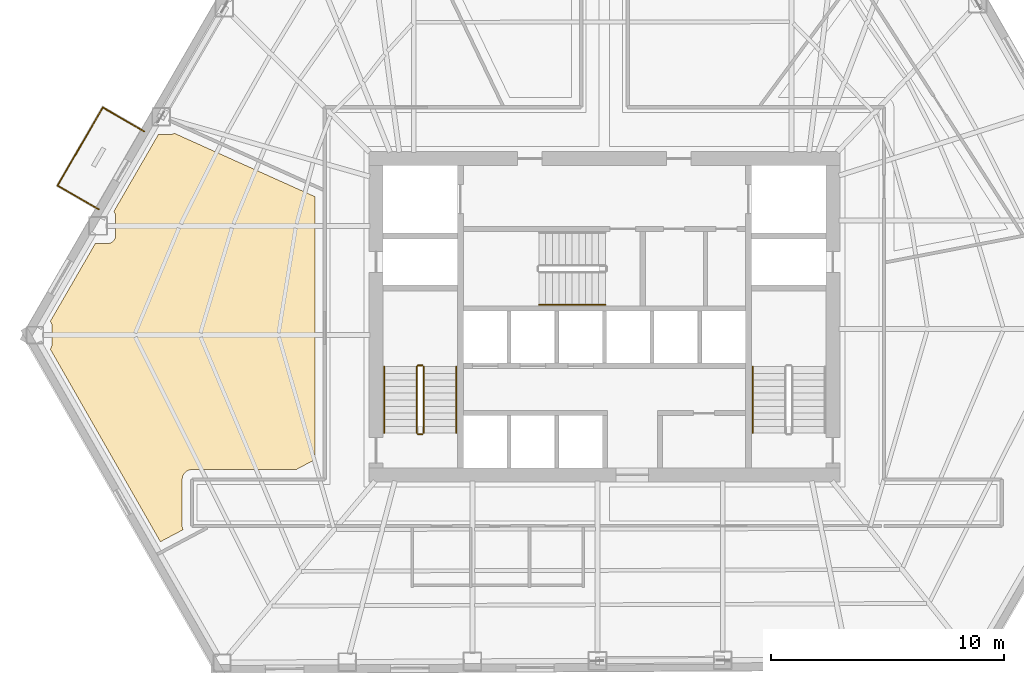
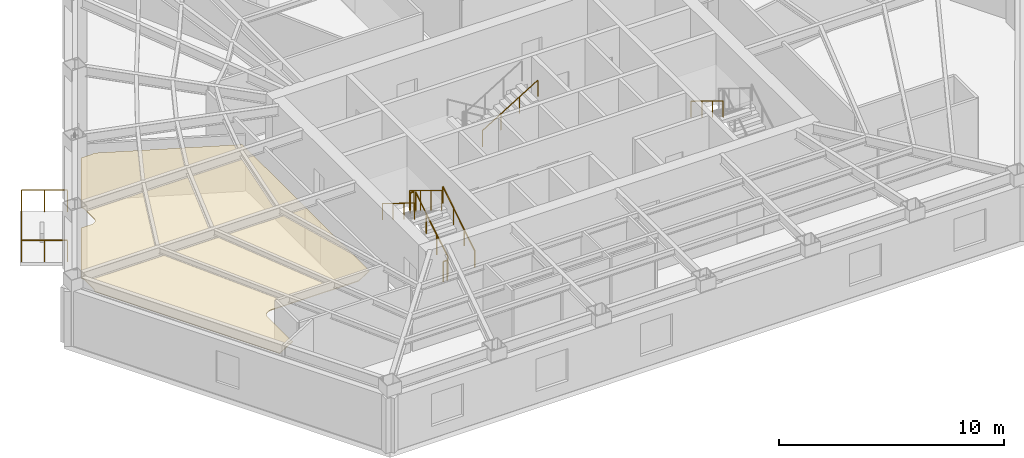
# One storey, part 9 of 11: 11 railings, 1 covering.
"""IFC4 building model written with IfcOpenShell, lengths in metres."""

from ifc_helpers import new_model, si_unit, direction, frame, origin, origin_2d, place, context, subcontext, project, spatial, polyline, circle, outline, extrude, material, layer, layer_set, type_object, element, save


model = new_model("IFC4")

# Units and contexts
model_context = context("Model", 3, precision=1e-05, world=origin(), true_north=direction((0.0, 1.0)))
body_context = subcontext(model_context, "Body", "Model", "MODEL_VIEW")
ifc_project = project(units=[si_unit("LENGTHUNIT", "METRE"), si_unit("AREAUNIT", "SQUARE_METRE"), si_unit("VOLUMEUNIT", "CUBIC_METRE"), si_unit("PLANEANGLEUNIT", "RADIAN"), si_unit("MASSUNIT", "GRAM", prefix="KILO")], contexts=[model_context])

# Site, building, storey
site_placement = place(None, origin())
site = spatial("IfcSite", under=ifc_project, at=site_placement, CompositionType="ELEMENT")
building_placement = place(site_placement, origin())
building = spatial("IfcBuilding", under=site, at=building_placement, Name="Kavelnor Concourse Tower", CompositionType="ELEMENT")
storey_placement = place(building_placement, frame((0.0, 0.0, 9.85009765625)))
storey = spatial("IfcBuildingStorey", under=building, at=storey_placement, Name="L02", CompositionType="ELEMENT", Elevation=9.85009765625)

# Covering
ifc_material_1 = material(Name="Mineral fibre acoustic ceiling tile")
ifc_layer = layer(ifc_material_1, 0.0400390625, Name="Mineral fibre acoustic ceiling tile")
ifc_layer_set = layer_set([ifc_layer], Name="Mineral fibre acoustic ceiling tile")
covering_type = type_object("IfcCoveringType", Name="COV-CEILING-ACOUSTIC", PredefinedType="CEILING", material=ifc_layer_set)
covering_placement = place(storey_placement, frame((0.0, 0.0, 2.75)))
element("IfcCovering", 1, at=covering_placement, inside=storey, type_object=covering_type, Name="L02 Suspended Acoustic Ceiling", PredefinedType="CEILING", context=body_context, shape_type="SweptSolid", body=[
    extrude(outline(polyline([(14.1953125, 14.723388671875), (14.21337890625, 14.75390625), (14.228515625, 14.785888671875), (14.240478515625, 14.819091796875), (14.2490234375, 14.853515625), (14.25439453125, 14.888427734375), (14.255615234375, 14.915283203125), (14.255615234375, 15.69189453125), (14.25439453125, 15.718994140625), (14.2490234375, 15.75390625), (14.240478515625, 15.788330078125), (14.228515625, 15.821533203125), (14.21337890625, 15.853515625), (14.1953125, 15.8837890625), (14.18359375, 15.899658203125), (16.114013671875, 19.23779296875), (16.638427734375, 19.23779296875), (16.66552734375, 19.239013671875), (16.700439453125, 19.244384765625), (16.73486328125, 19.2529296875), (16.76806640625, 19.264892578125), (16.800048828125, 19.27978515625), (16.830322265625, 19.298095703125), (16.85888671875, 19.319091796875), (16.885009765625, 19.343017578125), (16.90869140625, 19.369140625), (16.929931640625, 19.397705078125), (16.947998046875, 19.427978515625), (16.963134765625, 19.4599609375), (16.97509765625, 19.4931640625), (16.983642578125, 19.527587890625), (16.989013671875, 19.5625), (16.990234375, 19.589599609375), (16.990234375, 20.406005859375), (16.989013671875, 20.43310546875), (16.983642578125, 20.468017578125), (16.97509765625, 20.50244140625), (16.963134765625, 20.53564453125), (16.947998046875, 20.567626953125), (16.929931640625, 20.597900390625), (16.91357421875, 20.6201171875), (18.828857421875, 23.931884765625), (19.353271484375, 23.931884765625), (19.380126953125, 23.933349609375), (19.415283203125, 23.9384765625), (19.449462890625, 23.947021484375), (19.48291015625, 23.958984375), (19.514892578125, 23.97412109375), (19.520263671875, 23.977294921875), (25.5576171875, 21.255126953125), (25.5576171875, 9.9541015625), (24.74560546875, 9.5224609375), (20.266357421875, 9.5224609375), (20.233154296875, 9.52099609375), (20.192138671875, 9.514892578125), (20.15185546875, 9.504638671875), (20.11279296875, 9.49072265625), (20.0751953125, 9.472900390625), (20.03955078125, 9.45166015625), (20.00634765625, 9.427001953125), (19.9755859375, 9.39892578125), (19.94775390625, 9.368408203125), (19.923095703125, 9.3349609375), (19.901611328125, 9.29931640625), (19.8837890625, 9.26171875), (19.869873046875, 9.222900390625), (19.85986328125, 9.1826171875), (19.853759765625, 9.1416015625), (19.85205078125, 9.1083984375), (19.85205078125, 7.091796875), (19.853759765625, 7.05859375), (19.85986328125, 7.017578125), (19.869873046875, 6.977294921875), (19.8837890625, 6.938232421875), (19.884033203125, 6.9375), (18.9140625, 6.421875), (14.180908203125, 14.7041015625), (14.1953125, 14.723388671875)])), origin(), (0.0, 0.0, 1.0), 0.039794921875),
])

# Railings
ifc_material_2 = material(Name="Steel Grade 350", Category="steel")
railing_type_1 = type_object("IfcRailingType", Name="RLG-GUARD-1100", PredefinedType="GUARDRAIL", material=ifc_material_2)
railing_1_placement = place(storey_placement, frame((30.22998046875, 11.10009765625, 0.1748046875)))
element("IfcRailing", 2, at=railing_1_placement, inside=storey, type_object=railing_type_1, Name="L02 ST1 stair guard 1", PredefinedType="GUARDRAIL", context=body_context, shape_type="SweptSolid", body=[
    extrude(circle(Radius=0.02392578125, at=origin_2d()), frame((0.0, 0.0, 1.076171875), z_axis=(0.0, 0.852159232446, 0.523282564737), x_axis=(-1.0, 0.0, 0.0)), (0.0, 0.0, 1.0), 3.34423828125),
    extrude(circle(Radius=0.02099609375, at=origin_2d()), origin(), (0.0, 0.0, 1.0), 1.052001953125),
    extrude(circle(Radius=0.02099609375, at=origin_2d()), frame((0.0, 0.949951171875, 0.583251953125)), (0.0, 0.0, 1.0), 1.052001953125),
    extrude(circle(Radius=0.02099609375, at=origin_2d()), frame((0.0, 1.89990234375, 1.166748046875)), (0.0, 0.0, 1.0), 1.052001953125),
    extrude(circle(Radius=0.02099609375, at=origin_2d()), frame((0.0, 2.849853515625, 1.75)), (0.0, 0.0, 1.0), 1.052001953125),
])
railing_2_placement = place(storey_placement, frame((30.179931640625, 14.0, 1.9248046875)))
element("IfcRailing", 3, at=railing_2_placement, inside=storey, type_object=railing_type_1, Name="L02 ST1 stair guard 2", PredefinedType="GUARDRAIL", context=body_context, shape_type="SweptSolid", body=[
    extrude(circle(Radius=0.02392578125, at=origin_2d()), frame((0.0, 0.0, 1.076171875), z_axis=(-1.0, 0.0, 0.0), x_axis=(0.0, -1.0, 0.0)), (0.0, 0.0, 1.0), 0.199951171875),
    extrude(circle(Radius=0.02099609375, at=origin_2d()), origin(), (0.0, 0.0, 1.0), 1.052001953125),
    extrude(circle(Radius=0.02099609375, at=origin_2d()), frame((-0.199951171875, 0.0, 0.0)), (0.0, 0.0, 1.0), 1.052001953125),
])
railing_3_placement = place(storey_placement, frame((29.929931640625, 13.949951171875, 2.099853515625)))
element("IfcRailing", 4, at=railing_3_placement, inside=storey, type_object=railing_type_1, Name="L02 ST1 stair guard 3", PredefinedType="GUARDRAIL", context=body_context, shape_type="SweptSolid", body=[
    extrude(circle(Radius=0.02392578125, at=origin_2d()), frame((0.0, 0.0, 1.076171875), z_axis=(0.0, -0.852159232446, 0.523282564737), x_axis=(1.0, 0.0, 0.0)), (0.0, 0.0, 1.0), 3.34423828125),
    extrude(circle(Radius=0.02099609375, at=origin_2d()), origin(), (0.0, 0.0, 1.0), 1.052001953125),
    extrude(circle(Radius=0.02099609375, at=origin_2d()), frame((0.0, -0.949951171875, 0.583251953125)), (0.0, 0.0, 1.0), 1.052001953125),
    extrude(circle(Radius=0.02099609375, at=origin_2d()), frame((0.0, -1.89990234375, 1.166748046875)), (0.0, 0.0, 1.0), 1.052001953125),
    extrude(circle(Radius=0.02099609375, at=origin_2d()), frame((0.0, -2.849853515625, 1.75)), (0.0, 0.0, 1.0), 1.052001953125),
])
railing_4_placement = place(storey_placement, frame((30.179931640625, 11.050048828125, 0.0)))
element("IfcRailing", 5, at=railing_4_placement, inside=storey, type_object=railing_type_1, Name="L02 ST1 stair guard 4", PredefinedType="GUARDRAIL", context=body_context, shape_type="SweptSolid", body=[
    extrude(circle(Radius=0.02392578125, at=origin_2d()), frame((0.0, 0.0, 1.076171875), z_axis=(-1.0, 0.0, 0.0), x_axis=(0.0, -1.0, 0.0)), (0.0, 0.0, 1.0), 0.199951171875),
    extrude(circle(Radius=0.02099609375, at=origin_2d()), origin(), (0.0, 0.0, 1.0), 1.052001953125),
    extrude(circle(Radius=0.02099609375, at=origin_2d()), frame((-0.199951171875, 0.0, 0.0)), (0.0, 0.0, 1.0), 1.052001953125),
])
railing_type_2 = type_object("IfcRailingType", Name="RLG-HANDRAIL-900", PredefinedType="HANDRAIL", material=ifc_material_2)
railing_5_placement = place(storey_placement, frame((31.6298828125, 11.10009765625, 0.1748046875)))
element("IfcRailing", 6, at=railing_5_placement, inside=storey, type_object=railing_type_2, Name="L02 ST1 stair handrail 1", PredefinedType="HANDRAIL", context=body_context, shape_type="SweptSolid", body=[
    extrude(circle(Radius=0.02392578125, at=origin_2d()), frame((0.0, 0.0, 0.8759765625), z_axis=(0.0, 0.852159232446, 0.523282564737), x_axis=(-1.0, 0.0, 0.0)), (0.0, 0.0, 1.0), 3.34423828125),
    extrude(circle(Radius=0.02099609375, at=origin_2d()), origin(), (0.0, 0.0, 1.0), 0.851806640625),
    extrude(circle(Radius=0.02099609375, at=origin_2d()), frame((0.0, 0.949951171875, 0.583251953125)), (0.0, 0.0, 1.0), 0.851806640625),
    extrude(circle(Radius=0.02099609375, at=origin_2d()), frame((0.0, 1.89990234375, 1.166748046875)), (0.0, 0.0, 1.0), 0.851806640625),
    extrude(circle(Radius=0.02099609375, at=origin_2d()), frame((0.0, 2.849853515625, 1.75)), (0.0, 0.0, 1.0), 0.851806640625),
])
for number, where, name in (
    (7, (28.530029296875, 13.949951171875, 2.099853515625), "L02 ST1 stair handrail 2"),
    (8, (44.3701171875, 13.949951171875, 2.099853515625), "L02 ST2 stair handrail 2"),
):
    element("IfcRailing", number, at=place(storey_placement, frame(where)), inside=storey, type_object=railing_type_2, Name=name, PredefinedType="HANDRAIL", context=body_context, shape_type="SweptSolid", body=[
        extrude(circle(Radius=0.02392578125, at=origin_2d()), frame((0.0, 0.0, 0.8759765625), z_axis=(0.0, -0.852159232446, 0.523282564737), x_axis=(1.0, 0.0, 0.0)), (0.0, 0.0, 1.0), 3.34423828125),
        extrude(circle(Radius=0.02099609375, at=origin_2d()), origin(), (0.0, 0.0, 1.0), 0.851806640625),
        extrude(circle(Radius=0.02099609375, at=origin_2d()), frame((0.0, -0.949951171875, 0.583251953125)), (0.0, 0.0, 1.0), 0.851806640625),
        extrude(circle(Radius=0.02099609375, at=origin_2d()), frame((0.0, -1.89990234375, 1.166748046875)), (0.0, 0.0, 1.0), 0.851806640625),
        extrude(circle(Radius=0.02099609375, at=origin_2d()), frame((0.0, -2.849853515625, 1.75)), (0.0, 0.0, 1.0), 0.851806640625),
    ])
railing_6_placement = place(storey_placement, frame((35.18994140625, 16.610107421875, 2.099853515625)))
element("IfcRailing", 9, at=railing_6_placement, inside=storey, type_object=railing_type_2, Name="L02 ST3 stair handrail 2", PredefinedType="HANDRAIL", context=body_context, shape_type="SweptSolid", body=[
    extrude(circle(Radius=0.02392578125, at=origin_2d()), frame((0.0, 0.0, 0.8759765625), z_axis=(0.852179220489, 0.0, 0.52325001306), x_axis=(0.0, 1.0, 0.0)), (0.0, 0.0, 1.0), 3.344482421875),
    extrude(circle(Radius=0.02099609375, at=origin_2d()), origin(), (0.0, 0.0, 1.0), 0.851806640625),
    extrude(circle(Radius=0.02099609375, at=origin_2d()), frame((0.949951171875, 0.0, 0.583251953125)), (0.0, 0.0, 1.0), 0.851806640625),
    extrude(circle(Radius=0.02099609375, at=origin_2d()), frame((1.900146484375, 0.0, 1.166748046875)), (0.0, 0.0, 1.0), 0.851806640625),
    extrude(circle(Radius=0.02099609375, at=origin_2d()), frame((2.85009765625, 0.0, 1.75)), (0.0, 0.0, 1.0), 0.851806640625),
])
ifc_material_3 = material(Name="Architectural bronze-anodised aluminium", Category="aluminium")
railing_type_3 = type_object("IfcRailingType", Name="RLG-TERRACE-1200", PredefinedType="BALUSTRADE", material=ifc_material_3)
railing_7_placement = place(storey_placement, frame((18.212646484375, 24.06494140625, 0.0)))
element("IfcRailing", 10, at=railing_7_placement, inside=storey, type_object=railing_type_3, Name="L02 Tree Balcony 2 Guardrail L", PredefinedType="BALUSTRADE", context=body_context, shape_type="SweptSolid", body=[
    extrude(circle(Radius=0.02392578125, at=origin_2d()), frame((0.0, 0.0, 1.17578125), z_axis=(-0.865651773461, 0.500646589026, 0.0), x_axis=(-0.500646589026, -0.865651773461, 0.0)), (0.0, 0.0, 1.0), 2.050048828125),
    extrude(circle(Radius=0.02099609375, at=origin_2d()), origin(), (0.0, 0.0, 1.0), 1.15185546875),
    extrude(circle(Radius=0.02099609375, at=origin_2d()), frame((-0.88720703125, 0.51318359375, 0.0)), (0.0, 0.0, 1.0), 1.15185546875),
    extrude(circle(Radius=0.02099609375, at=origin_2d()), frame((-1.774658203125, 1.0263671875, 0.0)), (0.0, 0.0, 1.0), 1.15185546875),
])
railing_8_placement = place(storey_placement, frame((16.43798828125, 25.09130859375, 0.0)))
element("IfcRailing", 11, at=railing_8_placement, inside=storey, type_object=railing_type_3, Name="L02 Tree Balcony 2 Guardrail F", PredefinedType="BALUSTRADE", context=body_context, shape_type="SweptSolid", body=[
    extrude(circle(Radius=0.02392578125, at=origin_2d()), frame((0.0, 0.0, 1.17578125), z_axis=(-0.500604633616, -0.865676036865, 0.0), x_axis=(0.865676036865, -0.500604633616, 0.0)), (0.0, 0.0, 1.0), 3.880126953125),
    extrude(circle(Radius=0.02099609375, at=origin_2d()), origin(), (0.0, 0.0, 1.0), 1.15185546875),
    extrude(circle(Radius=0.02099609375, at=origin_2d()), frame((-0.485595703125, -0.83984375, 0.0)), (0.0, 0.0, 1.0), 1.15185546875),
    extrude(circle(Radius=0.02099609375, at=origin_2d()), frame((-0.97119140625, -1.679443359375, 0.0)), (0.0, 0.0, 1.0), 1.15185546875),
    extrude(circle(Radius=0.02099609375, at=origin_2d()), frame((-1.456787109375, -2.51904296875, 0.0)), (0.0, 0.0, 1.0), 1.15185546875),
    extrude(circle(Radius=0.02099609375, at=origin_2d()), frame((-1.9423828125, -3.35888671875, 0.0)), (0.0, 0.0, 1.0), 1.15185546875),
])
railing_9_placement = place(storey_placement, frame((14.49560546875, 21.732421875, 0.0)))
element("IfcRailing", 12, at=railing_9_placement, inside=storey, type_object=railing_type_3, Name="L02 Tree Balcony 2 Guardrail R", PredefinedType="BALUSTRADE", context=body_context, shape_type="SweptSolid", body=[
    extrude(circle(Radius=0.02392578125, at=origin_2d()), frame((0.0, 0.0, 1.17578125), z_axis=(0.865621919756, -0.500698204548, 0.0), x_axis=(0.500698204548, 0.865621919756, 0.0)), (0.0, 0.0, 1.0), 2.0498046875),
    extrude(circle(Radius=0.02099609375, at=origin_2d()), origin(), (0.0, 0.0, 1.0), 1.15185546875),
    extrude(circle(Radius=0.02099609375, at=origin_2d()), frame((0.88720703125, -0.51318359375, 0.0)), (0.0, 0.0, 1.0), 1.15185546875),
    extrude(circle(Radius=0.02099609375, at=origin_2d()), frame((1.7744140625, -1.0263671875, 0.0)), (0.0, 0.0, 1.0), 1.15185546875),
])

save(model, "model.ifc")
